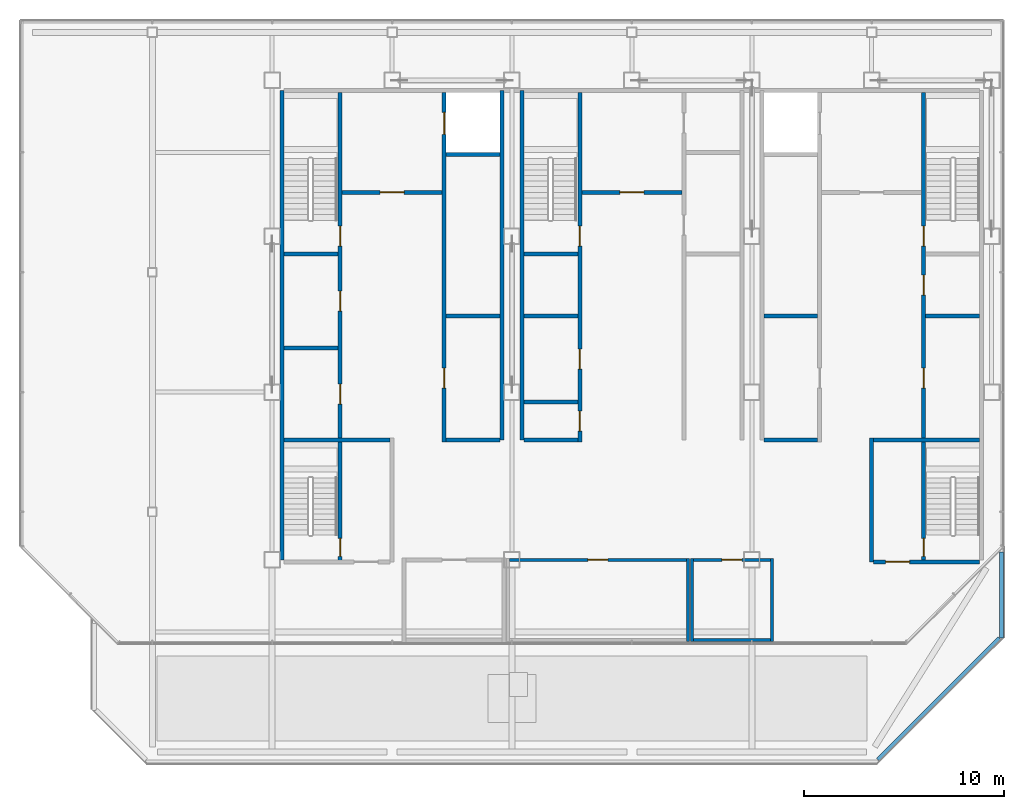
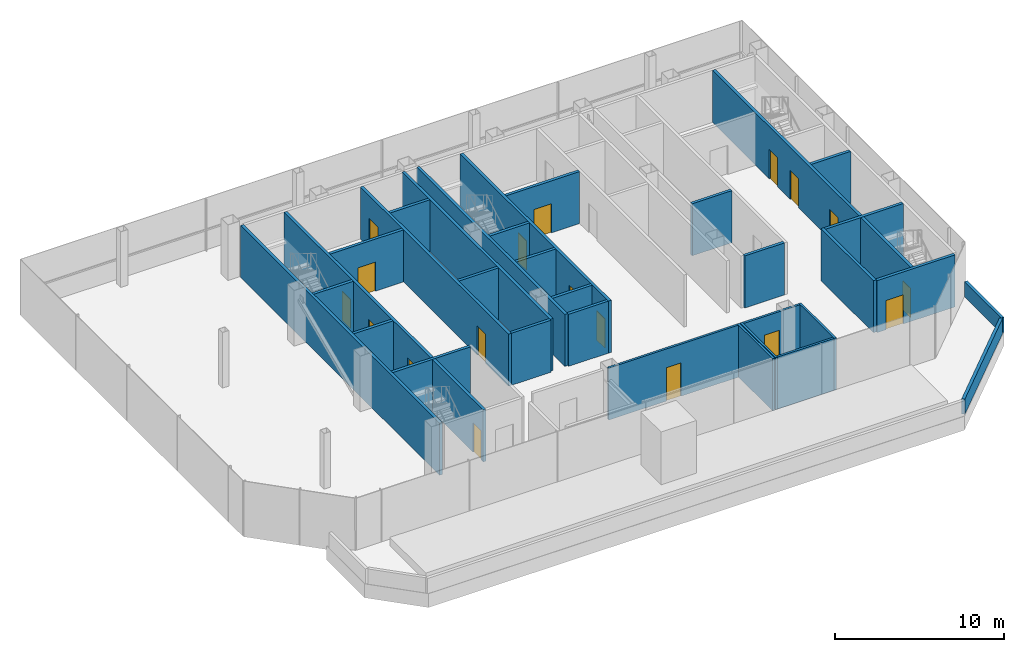
# One storey, part 14 of 18: 33 walls, 18 doors, 18 openings.
"""IFC4 building model written with IfcOpenShell, lengths in metres."""

from ifc_helpers import new_model, si_unit, direction, frame, frame_2d, origin, place, context, subcontext, project, spatial, rectangle, extrude, material, layer, layer_set, type_object, element, fill, save


model = new_model("IFC4")

# Units and contexts
model_context = context("Model", 3, precision=1e-05, world=origin(), true_north=direction((0.0, 1.0)))
body_context = subcontext(model_context, "Body", "Model", "MODEL_VIEW")
ifc_project = project(units=[si_unit("LENGTHUNIT", "METRE"), si_unit("AREAUNIT", "SQUARE_METRE"), si_unit("VOLUMEUNIT", "CUBIC_METRE"), si_unit("PLANEANGLEUNIT", "RADIAN"), si_unit("MASSUNIT", "GRAM", prefix="KILO")], contexts=[model_context])

# Site, building, storey
site_placement = place(None, origin())
site = spatial("IfcSite", under=ifc_project, at=site_placement, CompositionType="ELEMENT")
building_placement = place(site_placement, origin())
building = spatial("IfcBuilding", under=site, at=building_placement, Name="Sorahane Residences", CompositionType="ELEMENT")
storey_placement = place(building_placement, frame((0.0, 0.0, 345.800048828125)))
storey = spatial("IfcBuildingStorey", under=building, at=storey_placement, Name="L82", CompositionType="ELEMENT", Elevation=345.800048828125)

# Walls
ifc_material_1 = material(Name="Concrete C30", Category="concrete")
ifc_layer_1 = layer(ifc_material_1, 0.199951171875)
ifc_layer_set_1 = layer_set([ifc_layer_1], Name="Core face wall 200 EI 180")
wall_type_1 = type_object("IfcWallType", Name="Core face wall 200 EI 180", PredefinedType="SOLIDWALL", material=ifc_layer_set_1)
wall_1_placement = place(storey_placement, frame((6.5, 21.60009765625, 0.0), z_axis=(0.0, 0.0, 1.0), x_axis=(0.0, 1.0, 0.0)))
element("IfcWall", 1, at=wall_1_placement, inside=storey, type_object=wall_type_1, Name="L82 core face wall", PredefinedType="SOLIDWALL", context=body_context, shape_type="SweptSolid", body=[
    extrude(rectangle(XDim=23.5, YDim=0.199951171875, at=frame_2d((11.75, 0.0))), origin(), (0.0, 0.0, 1.0), 3.75),
])
for number, where, z_axis, x_axis, name in (
    (2, (17.5, 27.60009765625, 0.0), (0.0, 0.0, 1.0), (0.0, 1.0, 0.0), "L82 core face wall"),
    (3, (18.5, 27.60009765625, 0.0), (0.0, 0.0, 1.0), (0.0, 1.0, 0.0), "L82 core face wall"),
):
    element("IfcWall", number, at=place(storey_placement, frame(where, z_axis=z_axis, x_axis=x_axis)), inside=storey, type_object=wall_type_1, Name=name, PredefinedType="SOLIDWALL", context=body_context, shape_type="SweptSolid", body=[
        extrude(rectangle(XDim=17.5, YDim=0.199951171875, at=frame_2d((8.75, 0.0))), origin(), (0.0, 0.0, 1.0), 3.75),
    ])
ifc_material_2 = material(Name="Concrete C30", Category="concrete")
ifc_layer_2 = layer(ifc_material_2, 0.199951171875)
ifc_layer_set_2 = layer_set([ifc_layer_2], Name="Front room wall 200 EI 120")
wall_type_2 = type_object("IfcWallType", Name="Front room wall 200 EI 120", PredefinedType="PARTITIONING", material=ifc_layer_set_2)
wall_2_placement = place(storey_placement, frame((36.0, 21.5, 0.0), z_axis=(0.0, 0.0, 1.0), x_axis=(0.0, 1.0, 0.0)))
element("IfcWall", 4, at=wall_2_placement, inside=storey, type_object=wall_type_2, Name="L82 front room wall", PredefinedType="PARTITIONING", context=body_context, shape_type="SweptSolid", body=[
    extrude(rectangle(XDim=6.199951171875, YDim=0.199951171875, at=frame_2d((3.10009765625, 0.0))), origin(), (0.0, 0.0, 1.0), 3.75),
])

# Wall, opening, door
wall_3_placement = place(storey_placement, frame((21.5, 40.0, 0.0), z_axis=(0.0, 0.0, 1.0), x_axis=(1.0, 0.0, 0.0)))
wall_3 = element("IfcWall", 5, at=wall_3_placement, inside=storey, type_object=wall_type_2, Name="L82 front room wall", PredefinedType="PARTITIONING", context=body_context, shape_type="SweptSolid", body=[
    extrude(rectangle(XDim=5.0, YDim=0.199951171875, at=frame_2d((2.5, 0.0))), origin(), (0.0, 0.0, 1.0), 3.75),
])
opening_1_placement = place(wall_3_placement, frame((1.89990234375, 0.0, 0.0)))
opening_1 = element("IfcOpeningElement", 6, at=opening_1_placement, cuts=wall_3, Name="Opening L82-C04", PredefinedType="OPENING", context=body_context, shape_type="SweptSolid", body=[
    extrude(rectangle(XDim=1.199951171875, YDim=2.10009765625, at=frame_2d((0.60009765625, 1.050048828125))), frame((0.0, 0.10986328125, 0.0), z_axis=(0.0, -1.0, 0.0), x_axis=(1.0, 0.0, 0.0)), (0.0, 0.0, 1.0), 0.219970703125),
])
ifc_material_3 = material(Name="Steel", Category="steel")
door_type_1 = type_object("IfcDoorType", Name="Front room door 1200x2100 FD120", OperationType="NOTDEFINED", PredefinedType="DOOR", material=ifc_material_3)
door_1_placement = place(opening_1_placement, frame((1.199951171875, 0.0, 0.0), z_axis=(0.0, 0.0, 1.0), x_axis=(-1.0, 0.0, 0.0)))
door_1 = element("IfcDoor", 7, at=door_1_placement, inside=storey, type_object=door_type_1, Name="Front room door Stair S3 vestibule L82", OperationType="DOUBLE_DOOR_SINGLE_SWING", OverallHeight=2.10009765625, OverallWidth=1.199951171875, PredefinedType="DOOR", context=body_context, shape_type="SweptSolid", body=[
    extrude(rectangle(XDim=1.199951171875, YDim=2.10009765625, at=frame_2d((0.60009765625, 1.050048828125))), frame((0.0, 0.02490234375, 0.0), z_axis=(0.0, -1.0, 0.0), x_axis=(1.0, 0.0, 0.0)), (0.0, 0.0, 1.0), 0.050048828125),
])
fill(opening_1, door_1)

wall_4_placement = place(storey_placement, frame((9.5, 40.0, 0.0), z_axis=(0.0, 0.0, 1.0), x_axis=(1.0, 0.0, 0.0)))
wall_4 = element("IfcWall", 8, at=wall_4_placement, inside=storey, type_object=wall_type_2, Name="L82 front room wall", PredefinedType="PARTITIONING", context=body_context, shape_type="SweptSolid", body=[
    extrude(rectangle(XDim=5.0, YDim=0.199951171875, at=frame_2d((2.5, 0.0))), origin(), (0.0, 0.0, 1.0), 3.75),
])
opening_2_placement = place(wall_4_placement, frame((1.89990234375, 0.0, 0.0)))
opening_2 = element("IfcOpeningElement", 9, at=opening_2_placement, cuts=wall_4, Name="Opening L82-C03", PredefinedType="OPENING", context=body_context, shape_type="SweptSolid", body=[
    extrude(rectangle(XDim=1.199951171875, YDim=2.10009765625, at=frame_2d((0.60009765625, 1.050048828125))), frame((0.0, 0.10986328125, 0.0), z_axis=(0.0, -1.0, 0.0), x_axis=(1.0, 0.0, 0.0)), (0.0, 0.0, 1.0), 0.219970703125),
])
door_2_placement = place(opening_2_placement, frame((1.199951171875, 0.0, 0.0), z_axis=(0.0, 0.0, 1.0), x_axis=(-1.0, 0.0, 0.0)))
door_2 = element("IfcDoor", 10, at=door_2_placement, inside=storey, type_object=door_type_1, Name="Front room door Firefighting lobby FF1 front room L82", OperationType="DOUBLE_DOOR_SINGLE_SWING", OverallHeight=2.10009765625, OverallWidth=1.199951171875, PredefinedType="DOOR", context=body_context, shape_type="SweptSolid", body=[
    extrude(rectangle(XDim=1.199951171875, YDim=2.10009765625, at=frame_2d((0.60009765625, 1.050048828125))), frame((0.0, 0.02490234375, 0.0), z_axis=(0.0, -1.0, 0.0), x_axis=(1.0, 0.0, 0.0)), (0.0, 0.0, 1.0), 0.050048828125),
])
fill(opening_2, door_2)

# Wall, openings, doors
ifc_material_4 = material(Name="Concrete C30", Category="concrete")
ifc_layer_3 = layer(ifc_material_4, 0.199951171875)
ifc_layer_set_3 = layer_set([ifc_layer_3], Name="Lift shaft wall 200 EI 120")
wall_type_3 = type_object("IfcWallType", Name="Lift shaft wall 200 EI 120", PredefinedType="SOLIDWALL", material=ifc_layer_set_3)
wall_5_placement = place(storey_placement, frame((14.60009765625, 27.5, 0.0), z_axis=(0.0, 0.0, 1.0), x_axis=(0.0, 1.0, 0.0)))
wall_5 = element("IfcWall", 11, at=wall_5_placement, inside=storey, type_object=wall_type_3, Name="L82 lift shaft wall", PredefinedType="SOLIDWALL", context=body_context, shape_type="SweptSolid", body=[
    extrude(rectangle(XDim=17.5, YDim=0.199951171875, at=frame_2d((8.75, 0.0))), origin(), (0.0, 0.0, 1.0), 3.75),
])
opening_3_placement = place(wall_5_placement, frame((15.39990234375, 0.0, 0.0)))
opening_3 = element("IfcOpeningElement", 12, at=opening_3_placement, cuts=wall_5, Name="Opening L82-C07", PredefinedType="OPENING", context=body_context, shape_type="SweptSolid", body=[
    extrude(rectangle(XDim=1.10009765625, YDim=2.10009765625, at=frame_2d((0.550048828125, 1.050048828125))), frame((0.0, 0.10986328125, 0.0), z_axis=(0.0, -1.0, 0.0), x_axis=(1.0, 0.0, 0.0)), (0.0, 0.0, 1.0), 0.219970703125),
])
opening_4_placement = place(wall_5_placement, frame((2.699951171875, 0.0, 0.0)))
opening_4 = element("IfcOpeningElement", 13, at=opening_4_placement, cuts=wall_5, Name="Opening L82-C13", PredefinedType="OPENING", context=body_context, shape_type="SweptSolid", body=[
    extrude(rectangle(XDim=1.0, YDim=2.10009765625, at=frame_2d((0.5, 1.050048828125))), frame((0.0, 0.10986328125, 0.0), z_axis=(0.0, -1.0, 0.0), x_axis=(1.0, 0.0, 0.0)), (0.0, 0.0, 1.0), 0.219970703125),
])
ifc_material_5 = material(Name="Aluminium and stainless steel", Category="steel")
door_type_2 = type_object("IfcDoorType", Name="Lift landing door 1100x2100 E 60", OperationType="NOTDEFINED", PredefinedType="DOOR", material=ifc_material_5)
door_3_placement = place(opening_3_placement, origin())
door_3 = element("IfcDoor", 14, at=door_3_placement, inside=storey, type_object=door_type_2, Name="Lift landing door FF1 L82", OperationType="DOUBLE_DOOR_SLIDING", OverallHeight=2.10009765625, OverallWidth=1.10009765625, PredefinedType="DOOR", context=body_context, shape_type="SweptSolid", body=[
    extrude(rectangle(XDim=1.10009765625, YDim=2.10009765625, at=frame_2d((0.550048828125, 1.050048828125))), frame((0.0, 0.02490234375, 0.0), z_axis=(0.0, -1.0, 0.0), x_axis=(1.0, 0.0, 0.0)), (0.0, 0.0, 1.0), 0.050048828125),
])
fill(opening_3, door_3)
ifc_material_6 = material(Name="Steel", Category="steel")
door_type_3 = type_object("IfcDoorType", Name="Service room door 1000x2100 FD60", OperationType="NOTDEFINED", PredefinedType="DOOR", material=ifc_material_6)
door_4_placement = place(opening_4_placement, frame((1.0, 0.0, 0.0), z_axis=(0.0, 0.0, 1.0), x_axis=(-1.0, 0.0, 0.0)))
door_4 = element("IfcDoor", 15, at=door_4_placement, inside=storey, type_object=door_type_3, Name="Service room door Meeting room L82", OperationType="SINGLE_SWING_RIGHT", OverallHeight=2.10009765625, OverallWidth=1.0, PredefinedType="DOOR", context=body_context, shape_type="SweptSolid", body=[
    extrude(rectangle(XDim=1.0, YDim=2.10009765625, at=frame_2d((0.5, 1.050048828125))), frame((0.0, 0.02490234375, 0.0), z_axis=(0.0, -1.0, 0.0), x_axis=(1.0, 0.0, 0.0)), (0.0, 0.0, 1.0), 0.050048828125),
])
fill(opening_4, door_4)

# Walls
wall_6_placement = place(storey_placement, frame((14.699951171875, 41.89990234375, 0.0), z_axis=(0.0, 0.0, 1.0), x_axis=(1.0, 0.0, 0.0)))
element("IfcWall", 16, at=wall_6_placement, inside=storey, type_object=wall_type_3, Name="L82 lift shaft wall", PredefinedType="SOLIDWALL", context=body_context, shape_type="SweptSolid", body=[
    extrude(rectangle(XDim=2.699951171875, YDim=0.199951171875, at=frame_2d((1.35009765625, 0.0))), origin(), (0.0, 0.0, 1.0), 3.75),
])
ifc_material_7 = material(Name="Concrete C35", Category="concrete")
ifc_layer_4 = layer(ifc_material_7, 0.199951171875)
ifc_layer_set_4 = layer_set([ifc_layer_4], Name="Parapet wall Concrete C35 200")
wall_type_4 = type_object("IfcWallType", Name="Parapet wall Concrete C35 200", PredefinedType="PARAPET", material=ifc_layer_set_4)
wall_7_placement = place(storey_placement, frame((42.5, 22.010009765625, 0.0), z_axis=(0.0, 0.0, 1.0), x_axis=(0.0, -1.0, 0.0)))
element("IfcWall", 17, at=wall_7_placement, inside=storey, type_object=wall_type_4, Name="Roof parapet L82.1.1.1", PredefinedType="PARAPET", context=body_context, shape_type="SweptSolid", body=[
    extrude(rectangle(XDim=4.317138671875, YDim=0.199951171875, at=frame_2d((2.15869140625, 0.0))), origin(), (0.0, 0.0, 1.0), 1.099853515625),
])
wall_8_placement = place(storey_placement, frame((42.3974609375, 17.6904296875, 0.0), z_axis=(0.0, 0.0, 1.0), x_axis=(-0.707106781187, -0.707106781187, 0.0)))
element("IfcWall", 18, at=wall_8_placement, inside=storey, type_object=wall_type_4, Name="Roof parapet L82.1.1.2", PredefinedType="PARAPET", context=body_context, shape_type="SweptSolid", body=[
    extrude(rectangle(XDim=8.609619140625, YDim=0.199951171875, at=frame_2d((4.3046875, 0.0))), origin(), (0.0, 0.0, 1.0), 1.099853515625),
])
ifc_material_8 = material(Name="Gypsum board partition on steel studs", Category="steel")
ifc_layer_5 = layer(ifc_material_8, 0.14990234375)
ifc_layer_set_5 = layer_set([ifc_layer_5], Name="Partition 150 EI 90")
wall_type_5 = type_object("IfcWallType", Name="Partition 150 EI 90", PredefinedType="PARTITIONING", material=ifc_layer_set_5)
for number, where, z_axis, x_axis, name in (
    (19, (26.800048828125, 17.52490234375, 0.0), (0.0, 0.0, 1.0), (0.0, 1.0, 0.0), "L82 partition"),
    (20, (27.0, 17.52490234375, 0.0), (0.0, 0.0, 1.0), (0.0, 1.0, 0.0), "L82 partition"),
    (21, (31.0, 17.52490234375, 0.0), (0.0, 0.0, 1.0), (0.0, 1.0, 0.0), "L82 partition"),
):
    element("IfcWall", number, at=place(storey_placement, frame(where, z_axis=z_axis, x_axis=x_axis)), inside=storey, type_object=wall_type_5, Name=name, PredefinedType="PARTITIONING", context=body_context, shape_type="SweptSolid", body=[
        extrude(rectangle(XDim=4.150146484375, YDim=0.14990234375, at=frame_2d((2.0751953125, 0.0))), origin(), (0.0, 0.0, 1.0), 3.75),
    ])
wall_9_placement = place(storey_placement, frame((27.074951171875, 17.60009765625, 0.0), z_axis=(0.0, 0.0, 1.0), x_axis=(1.0, 0.0, 0.0)))
element("IfcWall", 22, at=wall_9_placement, inside=storey, type_object=wall_type_5, Name="L82 partition", PredefinedType="PARTITIONING", context=body_context, shape_type="SweptSolid", body=[
    extrude(rectangle(XDim=3.85009765625, YDim=0.14990234375, at=frame_2d((1.925048828125, 0.0))), origin(), (0.0, 0.0, 1.0), 3.75),
])

# Wall, opening, door
wall_10_placement = place(storey_placement, frame((17.875, 21.60009765625, 0.0), z_axis=(0.0, 0.0, 1.0), x_axis=(1.0, 0.0, 0.0)))
wall_10 = element("IfcWall", 23, at=wall_10_placement, inside=storey, type_object=wall_type_5, Name="L82 partition", PredefinedType="PARTITIONING", context=body_context, shape_type="SweptSolid", body=[
    extrude(rectangle(XDim=8.85009765625, YDim=0.14990234375, at=frame_2d((4.425048828125, 0.0))), origin(), (0.0, 0.0, 1.0), 3.75),
])
opening_5_placement = place(wall_10_placement, frame((3.925048828125, 0.0, 0.0)))
opening_5 = element("IfcOpeningElement", 24, at=opening_5_placement, cuts=wall_10, Name="Opening L82-02", PredefinedType="OPENING", context=body_context, shape_type="SweptSolid", body=[
    extrude(rectangle(XDim=1.0, YDim=2.39990234375, at=frame_2d((0.5, 1.199951171875))), frame((0.0, 0.0849609375, 0.0), z_axis=(0.0, -1.0, 0.0), x_axis=(1.0, 0.0, 0.0)), (0.0, 0.0, 1.0), 0.169921875),
])
ifc_material_9 = material(Name="Timber veneered fire door", Category="wood")
door_type_4 = type_object("IfcDoorType", Name="Room door 1000x2400 FD30", OperationType="NOTDEFINED", PredefinedType="DOOR", material=ifc_material_9)
door_5_placement = place(opening_5_placement, origin())
door_5 = element("IfcDoor", 25, at=door_5_placement, inside=storey, type_object=door_type_4, Name="Room door L82-02", OperationType="SINGLE_SWING_RIGHT", OverallHeight=2.39990234375, OverallWidth=1.0, PredefinedType="DOOR", context=body_context, shape_type="SweptSolid", body=[
    extrude(rectangle(XDim=1.0, YDim=2.39990234375, at=frame_2d((0.5, 1.199951171875))), frame((0.0, 0.02490234375, 0.0), z_axis=(0.0, -1.0, 0.0), x_axis=(1.0, 0.0, 0.0)), (0.0, 0.0, 1.0), 0.050048828125),
])
fill(opening_5, door_5)

wall_11_placement = place(storey_placement, frame((27.074951171875, 21.60009765625, 0.0), z_axis=(0.0, 0.0, 1.0), x_axis=(1.0, 0.0, 0.0)))
wall_11 = element("IfcWall", 26, at=wall_11_placement, inside=storey, type_object=wall_type_5, Name="L82 partition", PredefinedType="PARTITIONING", context=body_context, shape_type="SweptSolid", body=[
    extrude(rectangle(XDim=3.85009765625, YDim=0.14990234375, at=frame_2d((1.925048828125, 0.0))), origin(), (0.0, 0.0, 1.0), 3.75),
])
opening_6_placement = place(wall_11_placement, frame((1.425048828125, 0.0, 0.0)))
opening_6 = element("IfcOpeningElement", 27, at=opening_6_placement, cuts=wall_11, Name="Opening L82-03", PredefinedType="OPENING", context=body_context, shape_type="SweptSolid", body=[
    extrude(rectangle(XDim=1.0, YDim=2.39990234375, at=frame_2d((0.5, 1.199951171875))), frame((0.0, 0.0849609375, 0.0), z_axis=(0.0, -1.0, 0.0), x_axis=(1.0, 0.0, 0.0)), (0.0, 0.0, 1.0), 0.169921875),
])
door_6_placement = place(opening_6_placement, frame((1.0, 0.0, 0.0), z_axis=(0.0, 0.0, 1.0), x_axis=(-1.0, 0.0, 0.0)))
door_6 = element("IfcDoor", 28, at=door_6_placement, inside=storey, type_object=door_type_4, Name="Room door L82-03", OperationType="SINGLE_SWING_RIGHT", OverallHeight=2.39990234375, OverallWidth=1.0, PredefinedType="DOOR", context=body_context, shape_type="SweptSolid", body=[
    extrude(rectangle(XDim=1.0, YDim=2.39990234375, at=frame_2d((0.5, 1.199951171875))), frame((0.0, 0.02490234375, 0.0), z_axis=(0.0, -1.0, 0.0), x_axis=(1.0, 0.0, 0.0)), (0.0, 0.0, 1.0), 0.050048828125),
])
fill(opening_6, door_6)

# Walls
ifc_material_10 = material(Name="Concrete C30", Category="concrete")
ifc_layer_6 = layer(ifc_material_10, 0.199951171875)
ifc_layer_set_6 = layer_set([ifc_layer_6], Name="Service room partition 200 EI 60")
wall_type_6 = type_object("IfcWallType", Name="Service room partition 200 EI 60", PredefinedType="PARTITIONING", material=ifc_layer_set_6)
for number, where, z_axis, x_axis, name in (
    (29, (14.699951171875, 27.60009765625, 0.0), (0.0, 0.0, 1.0), (1.0, 0.0, 0.0), "L82 service room wall"),
    (30, (18.60009765625, 27.60009765625, 0.0), (0.0, 0.0, 1.0), (1.0, 0.0, 0.0), "L82 service room wall"),
    (31, (30.60009765625, 27.60009765625, 0.0), (0.0, 0.0, 1.0), (1.0, 0.0, 0.0), "L82 service room wall"),
    (32, (18.60009765625, 29.5, 0.0), (0.0, 0.0, 1.0), (1.0, 0.0, 0.0), "L82 service room wall"),
    (33, (6.60009765625, 32.199951171875, 0.0), (0.0, 0.0, 1.0), (1.0, 0.0, 0.0), "L82 service room wall"),
    (34, (14.699951171875, 33.800048828125, 0.0), (0.0, 0.0, 1.0), (1.0, 0.0, 0.0), "L82 service room wall"),
    (35, (18.60009765625, 33.800048828125, 0.0), (0.0, 0.0, 1.0), (1.0, 0.0, 0.0), "L82 service room wall"),
    (36, (30.60009765625, 33.800048828125, 0.0), (0.0, 0.0, 1.0), (1.0, 0.0, 0.0), "L82 service room wall"),
    (37, (38.699951171875, 33.800048828125, 0.0), (0.0, 0.0, 1.0), (1.0, 0.0, 0.0), "L82 service room wall"),
):
    element("IfcWall", number, at=place(storey_placement, frame(where, z_axis=z_axis, x_axis=x_axis)), inside=storey, type_object=wall_type_6, Name=name, PredefinedType="PARTITIONING", context=body_context, shape_type="SweptSolid", body=[
        extrude(rectangle(XDim=2.699951171875, YDim=0.199951171875, at=frame_2d((1.35009765625, 0.0))), origin(), (0.0, 0.0, 1.0), 3.75),
    ])

# Wall, openings, doors
ifc_material_11 = material(Name="Concrete C30", Category="concrete")
ifc_layer_7 = layer(ifc_material_11, 0.199951171875)
ifc_layer_set_7 = layer_set([ifc_layer_7], Name="Stair enclosure wall 200 EI 120")
wall_type_7 = type_object("IfcWallType", Name="Stair enclosure wall 200 EI 120", PredefinedType="SOLIDWALL", material=ifc_layer_set_7)
wall_12_placement = place(storey_placement, frame((21.39990234375, 27.5, 0.0), z_axis=(0.0, 0.0, 1.0), x_axis=(0.0, 1.0, 0.0)))
wall_12 = element("IfcWall", 38, at=wall_12_placement, inside=storey, type_object=wall_type_7, Name="L82 stair enclosure wall", PredefinedType="SOLIDWALL", context=body_context, shape_type="SweptSolid", body=[
    extrude(rectangle(XDim=17.5, YDim=0.199951171875, at=frame_2d((8.75, 0.0))), origin(), (0.0, 0.0, 1.0), 3.75),
])
opening_7_placement = place(wall_12_placement, frame((0.550048828125, 0.0, 0.0)))
opening_7 = element("IfcOpeningElement", 39, at=opening_7_placement, cuts=wall_12, Name="Opening L82-C08", PredefinedType="OPENING", context=body_context, shape_type="SweptSolid", body=[
    extrude(rectangle(XDim=1.0, YDim=2.10009765625, at=frame_2d((0.5, 1.050048828125))), frame((0.0, 0.10986328125, 0.0), z_axis=(0.0, -1.0, 0.0), x_axis=(1.0, 0.0, 0.0)), (0.0, 0.0, 1.0), 0.219970703125),
])
opening_8_placement = place(wall_12_placement, frame((3.64990234375, 0.0, 0.0)))
opening_8 = element("IfcOpeningElement", 40, at=opening_8_placement, cuts=wall_12, Name="Opening L82-C09", PredefinedType="OPENING", context=body_context, shape_type="SweptSolid", body=[
    extrude(rectangle(XDim=1.0, YDim=2.10009765625, at=frame_2d((0.5, 1.050048828125))), frame((0.0, 0.10986328125, 0.0), z_axis=(0.0, -1.0, 0.0), x_axis=(1.0, 0.0, 0.0)), (0.0, 0.0, 1.0), 0.219970703125),
])
opening_9_placement = place(wall_12_placement, frame((9.800048828125, 0.0, 0.0)))
opening_9 = element("IfcOpeningElement", 41, at=opening_9_placement, cuts=wall_12, Name="Opening L82-C18", PredefinedType="OPENING", context=body_context, shape_type="SweptSolid", body=[
    extrude(rectangle(XDim=1.0, YDim=2.10009765625, at=frame_2d((0.5, 1.050048828125))), frame((0.0, 0.10986328125, 0.0), z_axis=(0.0, -1.0, 0.0), x_axis=(1.0, 0.0, 0.0)), (0.0, 0.0, 1.0), 0.219970703125),
])
door_7_placement = place(opening_7_placement, origin())
door_7 = element("IfcDoor", 42, at=door_7_placement, inside=storey, type_object=door_type_3, Name="Service room door Linen store L82", OperationType="SINGLE_SWING_LEFT", OverallHeight=2.10009765625, OverallWidth=1.0, PredefinedType="DOOR", context=body_context, shape_type="SweptSolid", body=[
    extrude(rectangle(XDim=1.0, YDim=2.10009765625, at=frame_2d((0.5, 1.050048828125))), frame((0.0, 0.02490234375, 0.0), z_axis=(0.0, -1.0, 0.0), x_axis=(1.0, 0.0, 0.0)), (0.0, 0.0, 1.0), 0.050048828125),
])
fill(opening_7, door_7)
door_8_placement = place(opening_8_placement, origin())
door_8 = element("IfcDoor", 43, at=door_8_placement, inside=storey, type_object=door_type_3, Name="Service room door Tea room L82", OperationType="SINGLE_SWING_LEFT", OverallHeight=2.10009765625, OverallWidth=1.0, PredefinedType="DOOR", context=body_context, shape_type="SweptSolid", body=[
    extrude(rectangle(XDim=1.0, YDim=2.10009765625, at=frame_2d((0.5, 1.050048828125))), frame((0.0, 0.02490234375, 0.0), z_axis=(0.0, -1.0, 0.0), x_axis=(1.0, 0.0, 0.0)), (0.0, 0.0, 1.0), 0.050048828125),
])
fill(opening_8, door_8)
ifc_material_12 = material(Name="Steel", Category="steel")
door_type_5 = type_object("IfcDoorType", Name="Stair door 1000x2100 FD120", OperationType="NOTDEFINED", PredefinedType="DOOR", material=ifc_material_12)
door_9_placement = place(opening_9_placement, origin())
door_9 = element("IfcDoor", 44, at=door_9_placement, inside=storey, type_object=door_type_5, Name="Stair door S3 L82", OperationType="SINGLE_SWING_LEFT", OverallHeight=2.10009765625, OverallWidth=1.0, PredefinedType="DOOR", context=body_context, shape_type="SweptSolid", body=[
    extrude(rectangle(XDim=1.0, YDim=2.10009765625, at=frame_2d((0.5, 1.050048828125))), frame((0.0, 0.02490234375, 0.0), z_axis=(0.0, -1.0, 0.0), x_axis=(1.0, 0.0, 0.0)), (0.0, 0.0, 1.0), 0.050048828125),
])
fill(opening_9, door_9)

wall_13_placement = place(storey_placement, frame((38.60009765625, 21.5, 0.0), z_axis=(0.0, 0.0, 1.0), x_axis=(0.0, 1.0, 0.0)))
wall_13 = element("IfcWall", 45, at=wall_13_placement, inside=storey, type_object=wall_type_7, Name="L82 stair enclosure wall", PredefinedType="SOLIDWALL", context=body_context, shape_type="SweptSolid", body=[
    extrude(rectangle(XDim=23.5, YDim=0.199951171875, at=frame_2d((11.75, 0.0))), origin(), (0.0, 0.0, 1.0), 3.75),
])
opening_10_placement = place(wall_13_placement, frame((8.699951171875, 0.0, 0.0)))
opening_10 = element("IfcOpeningElement", 46, at=opening_10_placement, cuts=wall_13, Name="Opening L82-C10", PredefinedType="OPENING", context=body_context, shape_type="SweptSolid", body=[
    extrude(rectangle(XDim=1.0, YDim=2.10009765625, at=frame_2d((0.5, 1.050048828125))), frame((0.0, 0.10986328125, 0.0), z_axis=(0.0, -1.0, 0.0), x_axis=(1.0, 0.0, 0.0)), (0.0, 0.0, 1.0), 0.219970703125),
])
opening_11_placement = place(wall_13_placement, frame((13.35009765625, 0.0, 0.0)))
opening_11 = element("IfcOpeningElement", 47, at=opening_11_placement, cuts=wall_13, Name="Opening L82-C11", PredefinedType="OPENING", context=body_context, shape_type="SweptSolid", body=[
    extrude(rectangle(XDim=1.0, YDim=2.10009765625, at=frame_2d((0.5, 1.050048828125))), frame((0.0, 0.10986328125, 0.0), z_axis=(0.0, -1.0, 0.0), x_axis=(1.0, 0.0, 0.0)), (0.0, 0.0, 1.0), 0.219970703125),
])
opening_12_placement = place(wall_13_placement, frame((15.800048828125, 0.0, 0.0)))
opening_12 = element("IfcOpeningElement", 48, at=opening_12_placement, cuts=wall_13, Name="Opening L82-C17", PredefinedType="OPENING", context=body_context, shape_type="SweptSolid", body=[
    extrude(rectangle(XDim=1.0, YDim=2.10009765625, at=frame_2d((0.5, 1.050048828125))), frame((0.0, 0.10986328125, 0.0), z_axis=(0.0, -1.0, 0.0), x_axis=(1.0, 0.0, 0.0)), (0.0, 0.0, 1.0), 0.219970703125),
])
opening_13_placement = place(wall_13_placement, frame((0.27490234375, 0.0, 0.0)))
opening_13 = element("IfcOpeningElement", 49, at=opening_13_placement, cuts=wall_13, Name="Opening L82-C20", PredefinedType="OPENING", context=body_context, shape_type="SweptSolid", body=[
    extrude(rectangle(XDim=0.89990234375, YDim=2.10009765625, at=frame_2d((0.449951171875, 1.050048828125))), frame((0.0, 0.10986328125, 0.0), z_axis=(0.0, -1.0, 0.0), x_axis=(1.0, 0.0, 0.0)), (0.0, 0.0, 1.0), 0.219970703125),
])
door_10_placement = place(opening_10_placement, frame((1.0, 0.0, 0.0), z_axis=(0.0, 0.0, 1.0), x_axis=(-1.0, 0.0, 0.0)))
door_10 = element("IfcDoor", 50, at=door_10_placement, inside=storey, type_object=door_type_3, Name="Service room door Meeting room L82", OperationType="SINGLE_SWING_RIGHT", OverallHeight=2.10009765625, OverallWidth=1.0, PredefinedType="DOOR", context=body_context, shape_type="SweptSolid", body=[
    extrude(rectangle(XDim=1.0, YDim=2.10009765625, at=frame_2d((0.5, 1.050048828125))), frame((0.0, 0.02490234375, 0.0), z_axis=(0.0, -1.0, 0.0), x_axis=(1.0, 0.0, 0.0)), (0.0, 0.0, 1.0), 0.050048828125),
])
fill(opening_10, door_10)
door_11_placement = place(opening_11_placement, frame((1.0, 0.0, 0.0), z_axis=(0.0, 0.0, 1.0), x_axis=(-1.0, 0.0, 0.0)))
door_11 = element("IfcDoor", 51, at=door_11_placement, inside=storey, type_object=door_type_3, Name="Service room door Meeting room L82", OperationType="SINGLE_SWING_LEFT", OverallHeight=2.10009765625, OverallWidth=1.0, PredefinedType="DOOR", context=body_context, shape_type="SweptSolid", body=[
    extrude(rectangle(XDim=1.0, YDim=2.10009765625, at=frame_2d((0.5, 1.050048828125))), frame((0.0, 0.02490234375, 0.0), z_axis=(0.0, -1.0, 0.0), x_axis=(1.0, 0.0, 0.0)), (0.0, 0.0, 1.0), 0.050048828125),
])
fill(opening_11, door_11)
door_12_placement = place(opening_12_placement, frame((1.0, 0.0, 0.0), z_axis=(0.0, 0.0, 1.0), x_axis=(-1.0, 0.0, 0.0)))
door_12 = element("IfcDoor", 52, at=door_12_placement, inside=storey, type_object=door_type_5, Name="Stair door S2 L82", OperationType="SINGLE_SWING_LEFT", OverallHeight=2.10009765625, OverallWidth=1.0, PredefinedType="DOOR", context=body_context, shape_type="SweptSolid", body=[
    extrude(rectangle(XDim=1.0, YDim=2.10009765625, at=frame_2d((0.5, 1.050048828125))), frame((0.0, 0.02490234375, 0.0), z_axis=(0.0, -1.0, 0.0), x_axis=(1.0, 0.0, 0.0)), (0.0, 0.0, 1.0), 0.050048828125),
])
fill(opening_12, door_12)
ifc_material_13 = material(Name="Steel", Category="steel")
door_type_6 = type_object("IfcDoorType", Name="Stair door 900x2100 FD120", OperationType="NOTDEFINED", PredefinedType="DOOR", material=ifc_material_13)
door_13_placement = place(opening_13_placement, frame((0.89990234375, 0.0, 0.0), z_axis=(0.0, 0.0, 1.0), x_axis=(-1.0, 0.0, 0.0)))
door_13 = element("IfcDoor", 53, at=door_13_placement, inside=storey, type_object=door_type_6, Name="Stair door S5 L82", OperationType="SINGLE_SWING_LEFT", OverallHeight=2.10009765625, OverallWidth=0.89990234375, PredefinedType="DOOR", context=body_context, shape_type="SweptSolid", body=[
    extrude(rectangle(XDim=0.89990234375, YDim=2.10009765625, at=frame_2d((0.449951171875, 1.050048828125))), frame((0.0, 0.02490234375, 0.0), z_axis=(0.0, -1.0, 0.0), x_axis=(1.0, 0.0, 0.0)), (0.0, 0.0, 1.0), 0.050048828125),
])
fill(opening_13, door_13)

wall_14_placement = place(storey_placement, frame((9.39990234375, 21.5, 0.0), z_axis=(0.0, 0.0, 1.0), x_axis=(0.0, 1.0, 0.0)))
wall_14 = element("IfcWall", 54, at=wall_14_placement, inside=storey, type_object=wall_type_7, Name="L82 stair enclosure wall", PredefinedType="SOLIDWALL", context=body_context, shape_type="SweptSolid", body=[
    extrude(rectangle(XDim=23.5, YDim=0.199951171875, at=frame_2d((11.75, 0.0))), origin(), (0.0, 0.0, 1.0), 3.75),
])
opening_14_placement = place(wall_14_placement, frame((7.89990234375, 0.0, 0.0)))
opening_14 = element("IfcOpeningElement", 55, at=opening_14_placement, cuts=wall_14, Name="Opening L82-C14", PredefinedType="OPENING", context=body_context, shape_type="SweptSolid", body=[
    extrude(rectangle(XDim=1.0, YDim=2.10009765625, at=frame_2d((0.5, 1.050048828125))), frame((0.0, 0.10986328125, 0.0), z_axis=(0.0, -1.0, 0.0), x_axis=(1.0, 0.0, 0.0)), (0.0, 0.0, 1.0), 0.219970703125),
])
opening_15_placement = place(wall_14_placement, frame((12.550048828125, 0.0, 0.0)))
opening_15 = element("IfcOpeningElement", 56, at=opening_15_placement, cuts=wall_14, Name="Opening L82-C15", PredefinedType="OPENING", context=body_context, shape_type="SweptSolid", body=[
    extrude(rectangle(XDim=1.0, YDim=2.10009765625, at=frame_2d((0.5, 1.050048828125))), frame((0.0, 0.10986328125, 0.0), z_axis=(0.0, -1.0, 0.0), x_axis=(1.0, 0.0, 0.0)), (0.0, 0.0, 1.0), 0.219970703125),
])
opening_16_placement = place(wall_14_placement, frame((15.800048828125, 0.0, 0.0)))
opening_16 = element("IfcOpeningElement", 57, at=opening_16_placement, cuts=wall_14, Name="Opening L82-C16", PredefinedType="OPENING", context=body_context, shape_type="SweptSolid", body=[
    extrude(rectangle(XDim=1.0, YDim=2.10009765625, at=frame_2d((0.5, 1.050048828125))), frame((0.0, 0.10986328125, 0.0), z_axis=(0.0, -1.0, 0.0), x_axis=(1.0, 0.0, 0.0)), (0.0, 0.0, 1.0), 0.219970703125),
])
opening_17_placement = place(wall_14_placement, frame((0.27490234375, 0.0, 0.0)))
opening_17 = element("IfcOpeningElement", 58, at=opening_17_placement, cuts=wall_14, Name="Opening L82-C19", PredefinedType="OPENING", context=body_context, shape_type="SweptSolid", body=[
    extrude(rectangle(XDim=0.89990234375, YDim=2.10009765625, at=frame_2d((0.449951171875, 1.050048828125))), frame((0.0, 0.10986328125, 0.0), z_axis=(0.0, -1.0, 0.0), x_axis=(1.0, 0.0, 0.0)), (0.0, 0.0, 1.0), 0.219970703125),
])
door_14_placement = place(opening_14_placement, origin())
door_14 = element("IfcDoor", 59, at=door_14_placement, inside=storey, type_object=door_type_3, Name="Service room door Meeting room L82", OperationType="SINGLE_SWING_RIGHT", OverallHeight=2.10009765625, OverallWidth=1.0, PredefinedType="DOOR", context=body_context, shape_type="SweptSolid", body=[
    extrude(rectangle(XDim=1.0, YDim=2.10009765625, at=frame_2d((0.5, 1.050048828125))), frame((0.0, 0.02490234375, 0.0), z_axis=(0.0, -1.0, 0.0), x_axis=(1.0, 0.0, 0.0)), (0.0, 0.0, 1.0), 0.050048828125),
])
fill(opening_14, door_14)
door_15_placement = place(opening_15_placement, origin())
door_15 = element("IfcDoor", 60, at=door_15_placement, inside=storey, type_object=door_type_3, Name="Service room door Meeting room L82", OperationType="SINGLE_SWING_LEFT", OverallHeight=2.10009765625, OverallWidth=1.0, PredefinedType="DOOR", context=body_context, shape_type="SweptSolid", body=[
    extrude(rectangle(XDim=1.0, YDim=2.10009765625, at=frame_2d((0.5, 1.050048828125))), frame((0.0, 0.02490234375, 0.0), z_axis=(0.0, -1.0, 0.0), x_axis=(1.0, 0.0, 0.0)), (0.0, 0.0, 1.0), 0.050048828125),
])
fill(opening_15, door_15)
door_16_placement = place(opening_16_placement, origin())
door_16 = element("IfcDoor", 61, at=door_16_placement, inside=storey, type_object=door_type_5, Name="Stair door S1 L82", OperationType="SINGLE_SWING_LEFT", OverallHeight=2.10009765625, OverallWidth=1.0, PredefinedType="DOOR", context=body_context, shape_type="SweptSolid", body=[
    extrude(rectangle(XDim=1.0, YDim=2.10009765625, at=frame_2d((0.5, 1.050048828125))), frame((0.0, 0.02490234375, 0.0), z_axis=(0.0, -1.0, 0.0), x_axis=(1.0, 0.0, 0.0)), (0.0, 0.0, 1.0), 0.050048828125),
])
fill(opening_16, door_16)
door_17_placement = place(opening_17_placement, origin())
door_17 = element("IfcDoor", 62, at=door_17_placement, inside=storey, type_object=door_type_6, Name="Stair door S4 L82", OperationType="SINGLE_SWING_LEFT", OverallHeight=2.10009765625, OverallWidth=0.89990234375, PredefinedType="DOOR", context=body_context, shape_type="SweptSolid", body=[
    extrude(rectangle(XDim=0.89990234375, YDim=2.10009765625, at=frame_2d((0.449951171875, 1.050048828125))), frame((0.0, 0.02490234375, 0.0), z_axis=(0.0, -1.0, 0.0), x_axis=(1.0, 0.0, 0.0)), (0.0, 0.0, 1.0), 0.050048828125),
])
fill(opening_17, door_17)

# Wall, opening, door
wall_15_placement = place(storey_placement, frame((36.10009765625, 21.5, 0.0), z_axis=(0.0, 0.0, 1.0), x_axis=(1.0, 0.0, 0.0)))
wall_15 = element("IfcWall", 63, at=wall_15_placement, inside=storey, type_object=wall_type_7, Name="L82 stair enclosure wall", PredefinedType="SOLIDWALL", context=body_context, shape_type="SweptSolid", body=[
    extrude(rectangle(XDim=5.2998046875, YDim=0.199951171875, at=frame_2d((2.64990234375, 0.0))), origin(), (0.0, 0.0, 1.0), 3.75),
])
opening_18_placement = place(wall_15_placement, frame((0.60009765625, 0.0, 0.0)))
opening_18 = element("IfcOpeningElement", 64, at=opening_18_placement, cuts=wall_15, Name="Opening L82-C02", PredefinedType="OPENING", context=body_context, shape_type="SweptSolid", body=[
    extrude(rectangle(XDim=1.199951171875, YDim=2.10009765625, at=frame_2d((0.60009765625, 1.050048828125))), frame((0.0, 0.10986328125, 0.0), z_axis=(0.0, -1.0, 0.0), x_axis=(1.0, 0.0, 0.0)), (0.0, 0.0, 1.0), 0.219970703125),
])
ifc_material_14 = material(Name="Steel", Category="steel")
door_type_7 = type_object("IfcDoorType", Name="Stair front room door 1200x2100 FD120", OperationType="NOTDEFINED", PredefinedType="DOOR", material=ifc_material_14)
door_18_placement = place(opening_18_placement, frame((1.199951171875, 0.0, 0.0), z_axis=(0.0, 0.0, 1.0), x_axis=(-1.0, 0.0, 0.0)))
door_18 = element("IfcDoor", 65, at=door_18_placement, inside=storey, type_object=door_type_7, Name="Stair front room door Stair S5 front room L82", OperationType="SINGLE_SWING_RIGHT", OverallHeight=2.10009765625, OverallWidth=1.199951171875, PredefinedType="DOOR", context=body_context, shape_type="SweptSolid", body=[
    extrude(rectangle(XDim=1.199951171875, YDim=2.10009765625, at=frame_2d((0.60009765625, 1.050048828125))), frame((0.0, 0.02490234375, 0.0), z_axis=(0.0, -1.0, 0.0), x_axis=(1.0, 0.0, 0.0)), (0.0, 0.0, 1.0), 0.050048828125),
])
fill(opening_18, door_18)

# Walls
for number, where, z_axis, x_axis, name in (
    (66, (36.10009765625, 27.60009765625, 0.0), (0.0, 0.0, 1.0), (1.0, 0.0, 0.0), "L82 stair enclosure wall"),
    (67, (6.60009765625, 27.60009765625, 0.0), (0.0, 0.0, 1.0), (1.0, 0.0, 0.0), "L82 stair enclosure wall"),
):
    element("IfcWall", number, at=place(storey_placement, frame(where, z_axis=z_axis, x_axis=x_axis)), inside=storey, type_object=wall_type_7, Name=name, PredefinedType="SOLIDWALL", context=body_context, shape_type="SweptSolid", body=[
        extrude(rectangle(XDim=5.2998046875, YDim=0.199951171875, at=frame_2d((2.64990234375, 0.0))), origin(), (0.0, 0.0, 1.0), 3.75),
    ])
for number, where, z_axis, x_axis, name in (
    (68, (18.60009765625, 36.89990234375, 0.0), (0.0, 0.0, 1.0), (1.0, 0.0, 0.0), "L82 stair enclosure wall"),
    (69, (6.60009765625, 36.89990234375, 0.0), (0.0, 0.0, 1.0), (1.0, 0.0, 0.0), "L82 stair enclosure wall"),
):
    element("IfcWall", number, at=place(storey_placement, frame(where, z_axis=z_axis, x_axis=x_axis)), inside=storey, type_object=wall_type_7, Name=name, PredefinedType="SOLIDWALL", context=body_context, shape_type="SweptSolid", body=[
        extrude(rectangle(XDim=2.699951171875, YDim=0.199951171875, at=frame_2d((1.35009765625, 0.0))), origin(), (0.0, 0.0, 1.0), 3.75),
    ])

save(model, "model.ifc")
